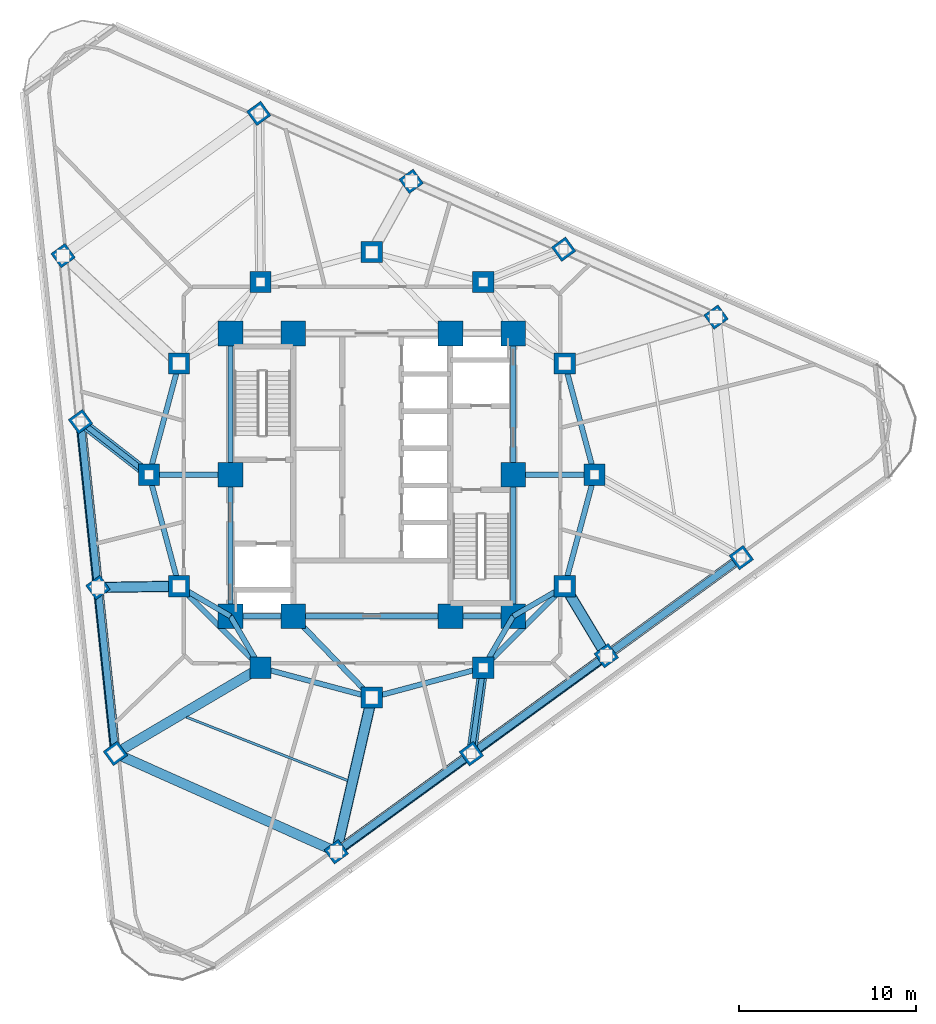
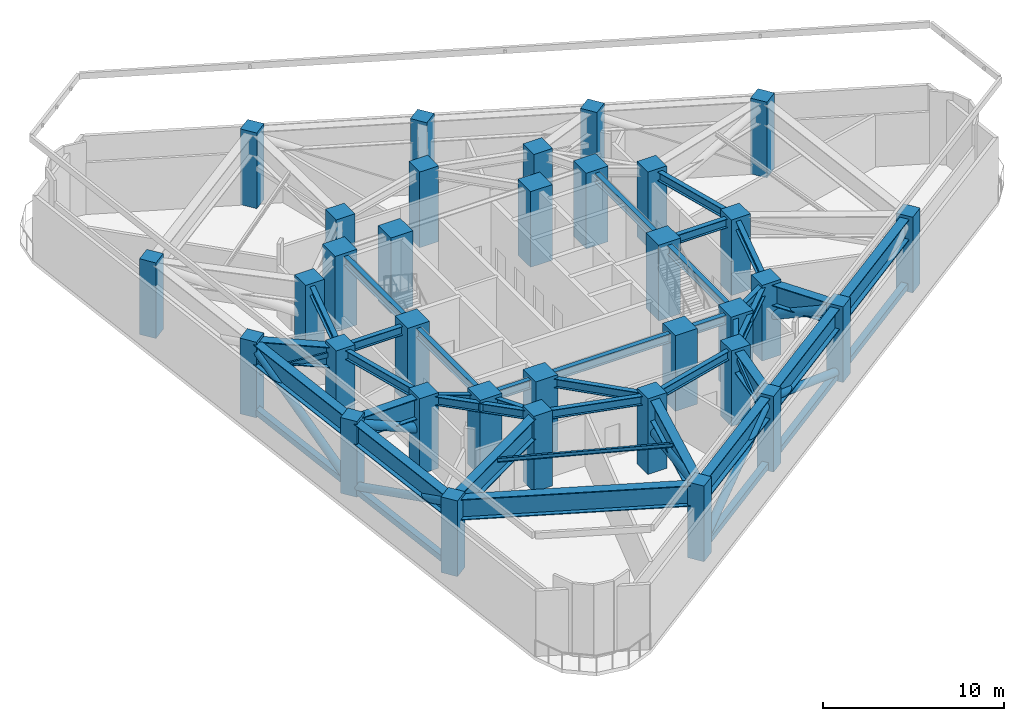
# One storey, part 1 of 10: 35 beams, 34 columns, 14 members.
"""IFC4 building model written with IfcOpenShell, lengths in metres."""

from ifc_helpers import new_model, si_unit, direction, frame, origin, origin_2d, place, context, subcontext, project, spatial, rectangle, hollow_rectangle, hollow_circle, i_section, extrude, material, material_profile, profile_set, type_object, element, save


model = new_model("IFC4")

# Units and contexts
model_context = context("Model", 3, precision=1e-05, world=origin(), true_north=direction((0.0, 1.0)))
body_context = subcontext(model_context, "Body", "Model", "MODEL_VIEW")
ifc_project = project(units=[si_unit("LENGTHUNIT", "METRE"), si_unit("AREAUNIT", "SQUARE_METRE"), si_unit("VOLUMEUNIT", "CUBIC_METRE"), si_unit("PLANEANGLEUNIT", "RADIAN"), si_unit("MASSUNIT", "GRAM", prefix="KILO")], contexts=[model_context])

# Site, building, storey
site_placement = place(None, origin())
site = spatial("IfcSite", under=ifc_project, at=site_placement, CompositionType="ELEMENT")
building_placement = place(site_placement, origin())
building = spatial("IfcBuilding", under=site, at=building_placement, Name="Terralouvre Media Tower", CompositionType="ELEMENT")
storey_placement = place(building_placement, frame((0.0, 0.0, 149.5)))
storey = spatial("IfcBuildingStorey", under=building, at=storey_placement, Name="L38", CompositionType="ELEMENT", Elevation=149.5)

# Columns
ifc_material_1 = material(Name="Concrete C50/60", Category="concrete")
ifc_material_profile_1 = material_profile(ifc_material_1, rectangle(XDim=1.0, YDim=1.0, at=origin_2d()), Name="RC 1000x1000")
ifc_profile_set_1 = profile_set([ifc_material_profile_1], Name="Concrete C50/60")
column_type_1 = type_object("IfcColumnType", Name="Structural Column C-RC1000 (RC 1000x1000)", PredefinedType="COLUMN", material=ifc_profile_set_1)
for number, where, z_axis, x_axis, name in (
    (1, (-2.0068359375, -21.328369140625, 0.0), (0.0, 0.0, 1.0), (0.809016994375, 0.587785252292, 0.0), "L38 Perimeter Mega-Column PC11"),
    (2, (5.63037109375, -15.77978515625, 0.0), (0.0, 0.0, 1.0), (0.809016994375, 0.587785252292, 0.0), "L38 Perimeter Mega-Column PC12"),
    (3, (13.267578125, -10.23095703125, 0.0), (0.0, 0.0, 1.0), (0.809016994375, 0.587785252292, 0.0), "L38 Perimeter Mega-Column PC13"),
    (4, (20.904541015625, -4.682373046875, 0.0), (0.0, 0.0, 1.0), (0.809016994375, 0.587785252292, 0.0), "L38 Perimeter Mega-Column PC14"),
    (5, (19.474365234375, 8.92626953125, 0.0), (0.0, 0.0, 1.0), (0.809016994375, 0.587785252292, 0.0), "L38 Perimeter Mega-Column PC21"),
    (6, (10.850341796875, 12.765869140625, 0.0), (0.0, 0.0, 1.0), (0.809016994375, 0.587785252292, 0.0), "L38 Perimeter Mega-Column PC22"),
    (7, (2.2265625, 16.60546875, 0.0), (0.0, 0.0, 1.0), (0.809016994375, 0.587785252292, 0.0), "L38 Perimeter Mega-Column PC23"),
    (8, (-6.397216796875, 20.445068359375, 0.0), (0.0, 0.0, 1.0), (0.809016994375, 0.587785252292, 0.0), "L38 Perimeter Mega-Column PC24"),
    (9, (-17.467529296875, 12.402099609375, 0.0), (0.0, 0.0, 1.0), (0.809016994375, 0.587785252292, 0.0), "L38 Perimeter Mega-Column PC31"),
    (10, (-16.480712890625, 3.013916015625, 0.0), (0.0, 0.0, 1.0), (0.809016994375, 0.587785252292, 0.0), "L38 Perimeter Mega-Column PC32"),
    (11, (-15.494140625, -6.37451171875, 0.0), (0.0, 0.0, 1.0), (0.809016994375, 0.587785252292, 0.0), "L38 Perimeter Mega-Column PC33"),
    (12, (-14.50732421875, -15.7626953125, 0.0), (0.0, 0.0, 1.0), (0.809016994375, 0.587785252292, 0.0), "L38 Perimeter Mega-Column PC34"),
):
    element("IfcColumn", number, at=place(storey_placement, frame(where, z_axis=z_axis, x_axis=x_axis)), inside=storey, type_object=column_type_1, Name=name, PredefinedType="COLUMN", context=body_context, shape_type="SweptSolid", body=[
        extrude(rectangle(XDim=1.0, YDim=1.0, at=origin_2d()), origin(), (0.0, 0.0, 1.0), 5.10009765625),
    ])
ifc_material_2 = material(Name="Concrete C60/75", Category="concrete")
ifc_material_profile_2 = material_profile(ifc_material_2, rectangle(XDim=1.199951171875, YDim=1.199951171875, at=origin_2d()), Name="RC 1200x1200")
ifc_profile_set_2 = profile_set([ifc_material_profile_2], Name="Concrete C60/75")
column_type_2 = type_object("IfcColumnType", Name="Structural Column C-RC1200 (RC 1200x1200)", PredefinedType="COLUMN", material=ifc_profile_set_2)
for number, where, z_axis, x_axis, name in (
    (13, (12.60009765625, 0.0, 0.0), (0.0, 0.0, 1.0), (1.0, 0.0, 0.0), "L38 Mega-Frame Column MC01"),
    (14, (10.911865234375, 6.300048828125, 0.0), (0.0, 0.0, 1.0), (1.0, 0.0, 0.0), "L38 Mega-Frame Column MC02"),
    (15, (6.300048828125, 10.911865234375, 0.0), (0.0, 0.0, 1.0), (1.0, 0.0, 0.0), "L38 Mega-Frame Column MC03"),
    (16, (0.0, 12.60009765625, 0.0), (0.0, 0.0, 1.0), (1.0, 0.0, 0.0), "L38 Mega-Frame Column MC04"),
    (17, (-6.300048828125, 10.911865234375, 0.0), (0.0, 0.0, 1.0), (1.0, 0.0, 0.0), "L38 Mega-Frame Column MC05"),
    (18, (-10.911865234375, 6.300048828125, 0.0), (0.0, 0.0, 1.0), (1.0, 0.0, 0.0), "L38 Mega-Frame Column MC06"),
    (19, (-12.60009765625, 0.0, 0.0), (0.0, 0.0, 1.0), (1.0, 0.0, 0.0), "L38 Mega-Frame Column MC07"),
    (20, (-10.911865234375, -6.300048828125, 0.0), (0.0, 0.0, 1.0), (1.0, 0.0, 0.0), "L38 Mega-Frame Column MC08"),
    (21, (-6.300048828125, -10.911865234375, 0.0), (0.0, 0.0, 1.0), (1.0, 0.0, 0.0), "L38 Mega-Frame Column MC09"),
    (22, (0.0, -12.60009765625, 0.0), (0.0, 0.0, 1.0), (1.0, 0.0, 0.0), "L38 Mega-Frame Column MC10"),
    (23, (6.300048828125, -10.911865234375, 0.0), (0.0, 0.0, 1.0), (1.0, 0.0, 0.0), "L38 Mega-Frame Column MC11"),
    (24, (10.911865234375, -6.300048828125, 0.0), (0.0, 0.0, 1.0), (1.0, 0.0, 0.0), "L38 Mega-Frame Column MC12"),
):
    element("IfcColumn", number, at=place(storey_placement, frame(where, z_axis=z_axis, x_axis=x_axis)), inside=storey, type_object=column_type_2, Name=name, PredefinedType="COLUMN", context=body_context, shape_type="SweptSolid", body=[
        extrude(rectangle(XDim=1.199951171875, YDim=1.199951171875, at=origin_2d()), origin(), (0.0, 0.0, 1.0), 5.10009765625),
    ])
ifc_material_3 = material(Name="Concrete C60/75", Category="concrete")
ifc_material_profile_3 = material_profile(ifc_material_3, rectangle(XDim=1.39990234375, YDim=1.39990234375, at=origin_2d()), Name="RC 1400x1400")
ifc_profile_set_3 = profile_set([ifc_material_profile_3], Name="Concrete C60/75")
column_type_3 = type_object("IfcColumnType", Name="Structural Column C-RC1400 (RC 1400x1400)", PredefinedType="COLUMN", material=ifc_profile_set_3)
for number, where, z_axis, x_axis, name in (
    (25, (-8.0, -8.0, 0.0), (0.0, 0.0, 1.0), (1.0, 0.0, 0.0), "L38 Core Pilaster Column CP1"),
    (26, (-4.449951171875, -8.0, 0.0), (0.0, 0.0, 1.0), (1.0, 0.0, 0.0), "L38 Core Pilaster Column CP2"),
    (27, (4.449951171875, -8.0, 0.0), (0.0, 0.0, 1.0), (1.0, 0.0, 0.0), "L38 Core Pilaster Column CP10"),
    (28, (8.0, -8.0, 0.0), (0.0, 0.0, 1.0), (1.0, 0.0, 0.0), "L38 Core Pilaster Column CP3"),
    (29, (8.0, 0.0, 0.0), (0.0, 0.0, 1.0), (1.0, 0.0, 0.0), "L38 Core Pilaster Column CP4"),
    (30, (8.0, 8.0, 0.0), (0.0, 0.0, 1.0), (1.0, 0.0, 0.0), "L38 Core Pilaster Column CP5"),
    (31, (4.449951171875, 8.0, 0.0), (0.0, 0.0, 1.0), (1.0, 0.0, 0.0), "L38 Core Pilaster Column CP9"),
    (32, (-4.449951171875, 8.0, 0.0), (0.0, 0.0, 1.0), (1.0, 0.0, 0.0), "L38 Core Pilaster Column CP6"),
    (33, (-8.0, 8.0, 0.0), (0.0, 0.0, 1.0), (1.0, 0.0, 0.0), "L38 Core Pilaster Column CP7"),
    (34, (-8.0, 0.0, 0.0), (0.0, 0.0, 1.0), (1.0, 0.0, 0.0), "L38 Core Pilaster Column CP8"),
):
    element("IfcColumn", number, at=place(storey_placement, frame(where, z_axis=z_axis, x_axis=x_axis)), inside=storey, type_object=column_type_3, Name=name, PredefinedType="COLUMN", context=body_context, shape_type="SweptSolid", body=[
        extrude(rectangle(XDim=1.39990234375, YDim=1.39990234375, at=origin_2d()), origin(), (0.0, 0.0, 1.0), 5.10009765625),
    ])

# Members
ifc_material_4 = material(Name="Structural steel S460M", Category="steel")
ifc_material_profile_4 = material_profile(ifc_material_4, hollow_circle(Radius=0.25390625, WallThickness=0.02490234375, at=origin_2d()), Name="CHS 508x25")
ifc_profile_set_4 = profile_set([ifc_material_profile_4], Name="Structural steel S460M")
member_type_1 = type_object("IfcMemberType", Name="Belt and Outrigger Brace BR-CHS508 (CHS 508x25)", PredefinedType="BRACE", material=ifc_profile_set_4)
member_1_placement = place(storey_placement, frame((-2.0068359375, -21.328369140625, 0.35009765625), z_axis=(0.739169261585, 0.537021284062, 0.406493472509), x_axis=(-0.587773346352, 0.809025644413, 0.0)))
element("IfcMember", 35, at=member_1_placement, inside=storey, type_object=member_type_1, Name="L38 Belt-Truss Diagonal Brace BT01", PredefinedType="BRACE", context=body_context, shape_type="SweptSolid", body=[
    extrude(hollow_circle(Radius=0.25390625, WallThickness=0.02490234375, at=origin_2d()), origin(), (0.0, 0.0, 1.0), 10.33203125),
])
for number, where, z_axis, x_axis, name in (
    (36, (5.63037109375, -15.77978515625, 4.550048828125), (0.739159881947, 0.537038098487, -0.406488314338), (-0.587790273448, 0.809013346268, 0.0), "L38 Belt-Truss Diagonal Brace BT02"),
    (37, (-16.480712890625, 3.013916015625, 4.550048828125), (0.095484701185, -0.908652359335, -0.406489313162), (0.994524001255, 0.104508425148, 0.0), "L38 Belt-Truss Diagonal Brace BT08"),
):
    element("IfcMember", number, at=place(storey_placement, frame(where, z_axis=z_axis, x_axis=x_axis)), inside=storey, type_object=member_type_1, Name=name, PredefinedType="BRACE", context=body_context, shape_type="SweptSolid", body=[
        extrude(hollow_circle(Radius=0.25390625, WallThickness=0.02490234375, at=origin_2d()), origin(), (0.0, 0.0, 1.0), 10.332275390625),
    ])
member_2_placement = place(storey_placement, frame((-15.494140625, -6.37451171875, 0.35009765625), z_axis=(0.095510165291, -0.908646189036, 0.406497123576), x_axis=(0.994521030321, 0.10453669331, 0.0)))
element("IfcMember", 38, at=member_2_placement, inside=storey, type_object=member_type_1, Name="L38 Belt-Truss Diagonal Brace BT09", PredefinedType="BRACE", context=body_context, shape_type="SweptSolid", body=[
    extrude(hollow_circle(Radius=0.25390625, WallThickness=0.02490234375, at=origin_2d()), origin(), (0.0, 0.0, 1.0), 10.33203125),
])
ifc_material_5 = material(Name="Structural steel S460M", Category="steel")
ifc_material_profile_5 = material_profile(ifc_material_5, hollow_circle(Radius=0.304931640625, WallThickness=0.030029296875, at=origin_2d()), Name="CHS 610x30")
ifc_profile_set_5 = profile_set([ifc_material_profile_5], Name="Structural steel S460M")
member_type_2 = type_object("IfcMemberType", Name="Belt and Outrigger Brace BR-CHS610 (CHS 610x30)", PredefinedType="BRACE", material=ifc_profile_set_5)
member_3_placement = place(storey_placement, frame((0.0, -12.60009765625, 2.550048828125), z_axis=(-0.218690412117, -0.95114366467, 0.217945481273), x_axis=(0.974571440619, -0.224077011605, 0.0)))
element("IfcMember", 39, at=member_3_placement, inside=storey, type_object=member_type_2, Name="L38 Outrigger Diagonal Brace OR01", PredefinedType="BRACE", context=body_context, shape_type="SweptSolid", body=[
    extrude(hollow_circle(Radius=0.304931640625, WallThickness=0.030029296875, at=origin_2d()), origin(), (0.0, 0.0, 1.0), 9.176513671875),
])
for number, where, z_axis, x_axis, name in (
    (40, (10.911865234375, -6.300048828125, 2.550048828125), (0.47112917446, -0.786159274327, 0.39998862029), (0.857765443091, 0.514041286901, 0.0), "L38 Outrigger Diagonal Brace OR02"),
    (41, (-10.911865234375, -6.300048828125, 2.550048828125), (-0.916403898807, -0.014891746451, 0.39997766205), (0.016248054635, -0.999867991647, 0.0), "L38 Outrigger Diagonal Brace OR06"),
):
    element("IfcMember", number, at=place(storey_placement, frame(where, z_axis=z_axis, x_axis=x_axis)), inside=storey, type_object=member_type_2, Name=name, PredefinedType="BRACE", context=body_context, shape_type="SweptSolid", body=[
        extrude(hollow_circle(Radius=0.304931640625, WallThickness=0.030029296875, at=origin_2d()), origin(), (0.0, 0.0, 1.0), 5.000244140625),
    ])

# Beam
ifc_material_6 = material(Name="Structural steel S355J2", Category="steel")
ifc_material_profile_6 = material_profile(ifc_material_6, i_section(OverallWidth=0.135009765625, OverallDepth=0.27001953125, WebThickness=0.006591796875, FlangeThickness=0.01025390625, at=origin_2d()), Name="IPE 270")
ifc_profile_set_6 = profile_set([ifc_material_profile_6], Name="Structural steel S355J2")
beam_type_1 = type_object("IfcBeamType", Name="Composite Floor Joist J-IPE270 (IPE 270)", PredefinedType="JOIST", material=ifc_profile_set_6)
beam_1_placement = place(storey_placement, frame((-10.485595703125, -13.709228515625, 4.764892578125), z_axis=(0.930564560392, -0.36612784508, 0.0), x_axis=(0.36612784508, 0.930564560392, 0.0)))
element("IfcBeam", 42, at=beam_1_placement, inside=storey, type_object=beam_type_1, Name="L38 Framing Beam JT-L38-01", PredefinedType="JOIST", context=body_context, shape_type="SweptSolid", body=[
    extrude(i_section(OverallWidth=0.135009765625, OverallDepth=0.27001953125, WebThickness=0.006591796875, FlangeThickness=0.01025390625, at=origin_2d()), origin(), (0.0, 0.0, 1.0), 9.80078125),
])

# Members
ifc_material_7 = material(Name="Structural steel S355J2", Category="steel")
ifc_material_profile_7 = material_profile(ifc_material_7, hollow_rectangle(XDim=0.300048828125, YDim=0.300048828125, WallThickness=0.01611328125, at=origin_2d()), Name="SHS 300x300x16")
ifc_profile_set_7 = profile_set([ifc_material_profile_7], Name="Structural steel S355J2")
member_type_3 = type_object("IfcMemberType", Name="Portal Knee-Brace Strut ST-SHS300 (SHS 300x300x16)", PredefinedType="STRUT", material=ifc_profile_set_7)
member_4_placement = place(storey_placement, frame((6.300048828125, -10.911865234375, 4.550048828125), z_axis=(-0.126230517926, -0.917575755352, -0.376988845371), x_axis=(0.990669534452, -0.136285998947, 0.0)))
element("IfcMember", 43, at=member_4_placement, inside=storey, type_object=member_type_3, Name="L38 Refuge Outrigger Knee-Brace Strut 06", PredefinedType="STRUT", context=body_context, shape_type="SweptSolid", body=[
    extrude(hollow_rectangle(XDim=0.300048828125, YDim=0.300048828125, WallThickness=0.01611328125, at=origin_2d()), origin(), (0.0, 0.0, 1.0), 5.30517578125),
])
member_5_placement = place(storey_placement, frame((-12.60009765625, 0.0, 4.550048828125), z_axis=(-0.731503545825, 0.568129051476, -0.37700390358), x_axis=(-0.613390081549, -0.78978010095, 0.0)))
element("IfcMember", 44, at=member_5_placement, inside=storey, type_object=member_type_3, Name="L38 Refuge Outrigger Knee-Brace Strut 10", PredefinedType="STRUT", context=body_context, shape_type="SweptSolid", body=[
    extrude(hollow_rectangle(XDim=0.300048828125, YDim=0.300048828125, WallThickness=0.01611328125, at=origin_2d()), origin(), (0.0, 0.0, 1.0), 5.304931640625),
])

# Beams
ifc_material_8 = material(Name="Structural steel S460M", Category="steel")
ifc_material_profile_8 = material_profile(ifc_material_8, i_section(OverallWidth=0.300048828125, OverallDepth=0.60009765625, WebThickness=0.015380859375, FlangeThickness=0.030029296875, at=origin_2d()), Name="HEB 600")
ifc_profile_set_8 = profile_set([ifc_material_profile_8], Name="Structural steel S460M")
beam_type_2 = type_object("IfcBeamType", Name="Primary Floor Girder B-HEB600 (HEB 600)", PredefinedType="BEAM", material=ifc_profile_set_8)
beam_2_placement = place(storey_placement, frame((-8.0, -8.0, 4.60009765625), z_axis=(1.0, 0.0, 0.0), x_axis=(0.0, 1.0, 0.0)))
element("IfcBeam", 45, at=beam_2_placement, inside=storey, type_object=beam_type_2, Name="L38 Framing Beam BM-L38-CPR01", PredefinedType="BEAM", context=body_context, shape_type="SweptSolid", body=[
    extrude(i_section(OverallWidth=0.300048828125, OverallDepth=0.60009765625, WebThickness=0.015380859375, FlangeThickness=0.030029296875, at=origin_2d()), origin(), (0.0, 0.0, 1.0), 3.550048828125),
])
beam_3_placement = place(storey_placement, frame((-4.449951171875, -8.0, 4.60009765625), z_axis=(1.0, 0.0, 0.0), x_axis=(0.0, 1.0, 0.0)))
element("IfcBeam", 46, at=beam_3_placement, inside=storey, type_object=beam_type_2, Name="L38 Framing Beam BM-L38-CPR02", PredefinedType="BEAM", context=body_context, shape_type="SweptSolid", body=[
    extrude(i_section(OverallWidth=0.300048828125, OverallDepth=0.60009765625, WebThickness=0.015380859375, FlangeThickness=0.030029296875, at=origin_2d()), origin(), (0.0, 0.0, 1.0), 8.89990234375),
])
beam_4_placement = place(storey_placement, frame((4.449951171875, -8.0, 4.60009765625), z_axis=(1.0, 0.0, 0.0), x_axis=(0.0, 1.0, 0.0)))
element("IfcBeam", 47, at=beam_4_placement, inside=storey, type_object=beam_type_2, Name="L38 Framing Beam BM-L38-CPR03", PredefinedType="BEAM", context=body_context, shape_type="SweptSolid", body=[
    extrude(i_section(OverallWidth=0.300048828125, OverallDepth=0.60009765625, WebThickness=0.015380859375, FlangeThickness=0.030029296875, at=origin_2d()), origin(), (0.0, 0.0, 1.0), 3.550048828125),
])
for number, where, z_axis, x_axis, name in (
    (48, (8.0, -8.0, 4.60009765625), (0.0, 1.0, 0.0), (-1.0, 0.0, 0.0), "L38 Framing Beam BM-L38-CPR04"),
    (49, (8.0, 0.0, 4.60009765625), (0.0, 1.0, 0.0), (-1.0, 0.0, 0.0), "L38 Framing Beam BM-L38-CPR05"),
    (50, (-8.0, 8.0, 4.60009765625), (0.0, -1.0, 0.0), (1.0, 0.0, 0.0), "L38 Framing Beam BM-L38-CPR09"),
    (51, (-8.0, 0.0, 4.60009765625), (0.0, -1.0, 0.0), (1.0, 0.0, 0.0), "L38 Framing Beam BM-L38-CPR10"),
):
    element("IfcBeam", number, at=place(storey_placement, frame(where, z_axis=z_axis, x_axis=x_axis)), inside=storey, type_object=beam_type_2, Name=name, PredefinedType="BEAM", context=body_context, shape_type="SweptSolid", body=[
        extrude(i_section(OverallWidth=0.300048828125, OverallDepth=0.60009765625, WebThickness=0.015380859375, FlangeThickness=0.030029296875, at=origin_2d()), origin(), (0.0, 0.0, 1.0), 8.0),
    ])
beam_5_placement = place(storey_placement, frame((-10.911865234375, -6.300048828125, 4.60009765625), z_axis=(0.707106781187, -0.707106781187, 0.0), x_axis=(0.707106781187, 0.707106781187, 0.0)))
element("IfcBeam", 52, at=beam_5_placement, inside=storey, type_object=beam_type_2, Name="L38 Framing Beam BM-L38-MR01", PredefinedType="BEAM", context=body_context, shape_type="SweptSolid", body=[
    extrude(i_section(OverallWidth=0.300048828125, OverallDepth=0.60009765625, WebThickness=0.015380859375, FlangeThickness=0.030029296875, at=origin_2d()), origin(), (0.0, 0.0, 1.0), 6.52197265625),
])
for number, where, z_axis, x_axis, name in (
    (53, (-6.300048828125, -10.911865234375, 4.60009765625), (0.965920481897, -0.258838989821, 0.0), (0.258838989821, 0.965920481897, 0.0), "L38 Framing Beam BM-L38-MR02"),
    (54, (0.0, -12.60009765625, 4.60009765625), (0.965920481897, 0.258838989821, 0.0), (-0.258838989821, 0.965920481897, 0.0), "L38 Framing Beam BM-L38-MR03"),
):
    element("IfcBeam", number, at=place(storey_placement, frame(where, z_axis=z_axis, x_axis=x_axis)), inside=storey, type_object=beam_type_2, Name=name, PredefinedType="BEAM", context=body_context, shape_type="SweptSolid", body=[
        extrude(i_section(OverallWidth=0.300048828125, OverallDepth=0.60009765625, WebThickness=0.015380859375, FlangeThickness=0.030029296875, at=origin_2d()), origin(), (0.0, 0.0, 1.0), 6.522216796875),
    ])
beam_6_placement = place(storey_placement, frame((6.300048828125, -10.911865234375, 4.60009765625), z_axis=(0.707106781187, 0.707106781187, 0.0), x_axis=(-0.707106781187, 0.707106781187, 0.0)))
element("IfcBeam", 55, at=beam_6_placement, inside=storey, type_object=beam_type_2, Name="L38 Framing Beam BM-L38-MR04", PredefinedType="BEAM", context=body_context, shape_type="SweptSolid", body=[
    extrude(i_section(OverallWidth=0.300048828125, OverallDepth=0.60009765625, WebThickness=0.015380859375, FlangeThickness=0.030029296875, at=origin_2d()), origin(), (0.0, 0.0, 1.0), 6.52197265625),
])
for number, where, z_axis, x_axis, name in (
    (56, (10.911865234375, -6.300048828125, 4.60009765625), (0.258838989821, 0.965920481897, 0.0), (-0.965920481897, 0.258838989821, 0.0), "L38 Framing Beam BM-L38-MR05"),
    (57, (12.60009765625, 0.0, 4.60009765625), (-0.258838989821, 0.965920481897, 0.0), (-0.965920481897, -0.258838989821, 0.0), "L38 Framing Beam BM-L38-MR06"),
    (58, (-10.911865234375, 6.300048828125, 4.60009765625), (-0.258838989821, -0.965920481897, 0.0), (0.965920481897, -0.258838989821, 0.0), "L38 Framing Beam BM-L38-MR11"),
    (59, (-12.60009765625, 0.0, 4.60009765625), (0.258838989821, -0.965920481897, 0.0), (0.965920481897, 0.258838989821, 0.0), "L38 Framing Beam BM-L38-MR12"),
):
    element("IfcBeam", number, at=place(storey_placement, frame(where, z_axis=z_axis, x_axis=x_axis)), inside=storey, type_object=beam_type_2, Name=name, PredefinedType="BEAM", context=body_context, shape_type="SweptSolid", body=[
        extrude(i_section(OverallWidth=0.300048828125, OverallDepth=0.60009765625, WebThickness=0.015380859375, FlangeThickness=0.030029296875, at=origin_2d()), origin(), (0.0, 0.0, 1.0), 6.522216796875),
    ])
for number, where, z_axis, x_axis, name in (
    (60, (-8.0, -8.0, 4.60009765625), (-0.863602894532, 0.504172629717, 0.0), (-0.504172629717, -0.863602894532, 0.0), "L38 Framing Beam BM-L38-CM01"),
    (61, (-8.0, -8.0, 4.60009765625), (0.504172629717, -0.863602894532, 0.0), (0.863602894532, 0.504172629717, 0.0), "L38 Framing Beam BM-L38-CM02"),
):
    element("IfcBeam", number, at=place(storey_placement, frame(where, z_axis=z_axis, x_axis=x_axis)), inside=storey, type_object=beam_type_2, Name=name, PredefinedType="BEAM", context=body_context, shape_type="SweptSolid", body=[
        extrude(i_section(OverallWidth=0.300048828125, OverallDepth=0.60009765625, WebThickness=0.015380859375, FlangeThickness=0.030029296875, at=origin_2d()), origin(), (0.0, 0.0, 1.0), 3.371826171875),
    ])
beam_7_placement = place(storey_placement, frame((-4.449951171875, -8.0, 4.60009765625), z_axis=(0.695279715726, -0.718739255155, 0.0), x_axis=(0.718739255155, 0.695279715726, 0.0)))
element("IfcBeam", 62, at=beam_7_placement, inside=storey, type_object=beam_type_2, Name="L38 Framing Beam BM-L38-CM03", PredefinedType="BEAM", context=body_context, shape_type="SweptSolid", body=[
    extrude(i_section(OverallWidth=0.300048828125, OverallDepth=0.60009765625, WebThickness=0.015380859375, FlangeThickness=0.030029296875, at=origin_2d()), origin(), (0.0, 0.0, 1.0), 6.400146484375),
])
for number, where, z_axis, x_axis, name in (
    (63, (8.0, -8.0, 4.60009765625), (-0.504172629717, -0.863602894532, 0.0), (0.863602894532, -0.504172629717, 0.0), "L38 Framing Beam BM-L38-CM04"),
    (64, (8.0, -8.0, 4.60009765625), (0.863602894532, 0.504172629717, 0.0), (-0.504172629717, 0.863602894532, 0.0), "L38 Framing Beam BM-L38-CM05"),
):
    element("IfcBeam", number, at=place(storey_placement, frame(where, z_axis=z_axis, x_axis=x_axis)), inside=storey, type_object=beam_type_2, Name=name, PredefinedType="BEAM", context=body_context, shape_type="SweptSolid", body=[
        extrude(i_section(OverallWidth=0.300048828125, OverallDepth=0.60009765625, WebThickness=0.015380859375, FlangeThickness=0.030029296875, at=origin_2d()), origin(), (0.0, 0.0, 1.0), 3.371826171875),
    ])
for number, where, z_axis, x_axis, name in (
    (65, (8.0, 0.0, 4.60009765625), (1.0, 0.0, 0.0), (0.0, 1.0, 0.0), "L38 Framing Beam BM-L38-CM06"),
    (66, (-8.0, 0.0, 4.60009765625), (-1.0, 0.0, 0.0), (0.0, -1.0, 0.0), "L38 Framing Beam BM-L38-CM12"),
):
    element("IfcBeam", number, at=place(storey_placement, frame(where, z_axis=z_axis, x_axis=x_axis)), inside=storey, type_object=beam_type_2, Name=name, PredefinedType="BEAM", context=body_context, shape_type="SweptSolid", body=[
        extrude(i_section(OverallWidth=0.300048828125, OverallDepth=0.60009765625, WebThickness=0.015380859375, FlangeThickness=0.030029296875, at=origin_2d()), origin(), (0.0, 0.0, 1.0), 4.60009765625),
    ])

# Members
ifc_material_9 = material(Name="Structural steel S460M", Category="steel")
ifc_material_profile_9 = material_profile(ifc_material_9, hollow_rectangle(XDim=0.39990234375, YDim=0.39990234375, WallThickness=0.02001953125, at=origin_2d()), Name="SHS 400x400x20")
ifc_profile_set_9 = profile_set([ifc_material_profile_9], Name="Structural steel S460M")
member_type_4 = type_object("IfcMemberType", Name="Truss Chord Member CH-SHS400 (SHS 400x400x20)", PredefinedType="CHORD", material=ifc_profile_set_9)
member_6_placement = place(storey_placement, frame((-2.0068359375, -21.328369140625, 0.35009765625), z_axis=(0.809025644413, 0.587773346352, 0.0), x_axis=(-0.587773346352, 0.809025644413, 0.0)))
element("IfcMember", 67, at=member_6_placement, inside=storey, type_object=member_type_4, Name="L38 Belt-Truss Bottom Chord 01", PredefinedType="CHORD", context=body_context, shape_type="SweptSolid", body=[
    extrude(hollow_rectangle(XDim=0.39990234375, YDim=0.39990234375, WallThickness=0.02001953125, at=origin_2d()), origin(), (0.0, 0.0, 1.0), 9.43994140625),
])
member_7_placement = place(storey_placement, frame((5.63037109375, -15.77978515625, 0.35009765625), z_axis=(0.809013346268, 0.587790273448, 0.0), x_axis=(-0.587790273448, 0.809013346268, 0.0)))
element("IfcMember", 68, at=member_7_placement, inside=storey, type_object=member_type_4, Name="L38 Belt-Truss Bottom Chord 02", PredefinedType="CHORD", context=body_context, shape_type="SweptSolid", body=[
    extrude(hollow_rectangle(XDim=0.39990234375, YDim=0.39990234375, WallThickness=0.02001953125, at=origin_2d()), origin(), (0.0, 0.0, 1.0), 9.440185546875),
])
member_8_placement = place(storey_placement, frame((13.267578125, -10.23095703125, 0.35009765625), z_axis=(0.809016709277, 0.587785644696, 0.0), x_axis=(-0.587785644696, 0.809016709277, 0.0)))
element("IfcMember", 69, at=member_8_placement, inside=storey, type_object=member_type_4, Name="L38 Belt-Truss Bottom Chord 03", PredefinedType="CHORD", context=body_context, shape_type="SweptSolid", body=[
    extrude(hollow_rectangle(XDim=0.39990234375, YDim=0.39990234375, WallThickness=0.02001953125, at=origin_2d()), origin(), (0.0, 0.0, 1.0), 9.439697265625),
])
member_9_placement = place(storey_placement, frame((-16.480712890625, 3.013916015625, 0.35009765625), z_axis=(0.104508425148, -0.994524001255, 0.0), x_axis=(0.994524001255, 0.104508425148, 0.0)))
element("IfcMember", 70, at=member_9_placement, inside=storey, type_object=member_type_4, Name="L38 Belt-Truss Bottom Chord 08", PredefinedType="CHORD", context=body_context, shape_type="SweptSolid", body=[
    extrude(hollow_rectangle(XDim=0.39990234375, YDim=0.39990234375, WallThickness=0.02001953125, at=origin_2d()), origin(), (0.0, 0.0, 1.0), 9.440185546875),
])
member_10_placement = place(storey_placement, frame((-15.494140625, -6.37451171875, 0.35009765625), z_axis=(0.10453669331, -0.994521030321, 0.0), x_axis=(0.994521030321, 0.10453669331, 0.0)))
element("IfcMember", 71, at=member_10_placement, inside=storey, type_object=member_type_4, Name="L38 Belt-Truss Bottom Chord 09", PredefinedType="CHORD", context=body_context, shape_type="SweptSolid", body=[
    extrude(hollow_rectangle(XDim=0.39990234375, YDim=0.39990234375, WallThickness=0.02001953125, at=origin_2d()), origin(), (0.0, 0.0, 1.0), 9.43994140625),
])

# Beams
ifc_material_10 = material(Name="Structural steel S460M", Category="steel")
ifc_material_profile_10 = material_profile(ifc_material_10, i_section(OverallWidth=0.56005859375, OverallDepth=1.39990234375, WebThickness=0.031982421875, FlangeThickness=0.050048828125, at=origin_2d()), Name="TG 1400x560")
ifc_profile_set_10 = profile_set([ifc_material_profile_10], Name="Structural steel S460M")
beam_type_3 = type_object("IfcBeamType", Name="Welded Transfer Girder TG-1400 (TG 1400x560)", PredefinedType="USERDEFINED", material=ifc_profile_set_10)
beam_8_placement = place(storey_placement, frame((-15.494140625, -6.37451171875, 4.199951171875), z_axis=(0.10453669331, -0.994521030321, 0.0), x_axis=(0.994521030321, 0.10453669331, 0.0)))
element("IfcBeam", 72, at=beam_8_placement, inside=storey, type_object=beam_type_3, Name="L38 Framing Beam BM-L38-PR01", ObjectType="TRANSFER GIRDER", PredefinedType="USERDEFINED", context=body_context, shape_type="SweptSolid", body=[
    extrude(i_section(OverallWidth=0.56005859375, OverallDepth=1.39990234375, WebThickness=0.031982421875, FlangeThickness=0.050048828125, at=origin_2d()), origin(), (0.0, 0.0, 1.0), 9.43994140625),
])
beam_9_placement = place(storey_placement, frame((-14.50732421875, -15.7626953125, 4.199951171875), z_axis=(0.913542800127, -0.4067426119, 0.0), x_axis=(0.4067426119, 0.913542800127, 0.0)))
element("IfcBeam", 73, at=beam_9_placement, inside=storey, type_object=beam_type_3, Name="L38 Framing Beam BM-L38-PR02", ObjectType="TRANSFER GIRDER", PredefinedType="USERDEFINED", context=body_context, shape_type="SweptSolid", body=[
    extrude(i_section(OverallWidth=0.56005859375, OverallDepth=1.39990234375, WebThickness=0.031982421875, FlangeThickness=0.050048828125, at=origin_2d()), origin(), (0.0, 0.0, 1.0), 13.68359375),
])
beam_10_placement = place(storey_placement, frame((-2.0068359375, -21.328369140625, 4.199951171875), z_axis=(0.809025644413, 0.587773346352, 0.0), x_axis=(-0.587773346352, 0.809025644413, 0.0)))
element("IfcBeam", 74, at=beam_10_placement, inside=storey, type_object=beam_type_3, Name="L38 Framing Beam BM-L38-PR03", ObjectType="TRANSFER GIRDER", PredefinedType="USERDEFINED", context=body_context, shape_type="SweptSolid", body=[
    extrude(i_section(OverallWidth=0.56005859375, OverallDepth=1.39990234375, WebThickness=0.031982421875, FlangeThickness=0.050048828125, at=origin_2d()), origin(), (0.0, 0.0, 1.0), 9.43994140625),
])
beam_11_placement = place(storey_placement, frame((5.63037109375, -15.77978515625, 4.199951171875), z_axis=(0.809013346268, 0.587790273448, 0.0), x_axis=(-0.587790273448, 0.809013346268, 0.0)))
element("IfcBeam", 75, at=beam_11_placement, inside=storey, type_object=beam_type_3, Name="L38 Framing Beam BM-L38-PR04", ObjectType="TRANSFER GIRDER", PredefinedType="USERDEFINED", context=body_context, shape_type="SweptSolid", body=[
    extrude(i_section(OverallWidth=0.56005859375, OverallDepth=1.39990234375, WebThickness=0.031982421875, FlangeThickness=0.050048828125, at=origin_2d()), origin(), (0.0, 0.0, 1.0), 9.440185546875),
])
beam_12_placement = place(storey_placement, frame((13.267578125, -10.23095703125, 4.199951171875), z_axis=(0.809016709277, 0.587785644696, 0.0), x_axis=(-0.587785644696, 0.809016709277, 0.0)))
element("IfcBeam", 76, at=beam_12_placement, inside=storey, type_object=beam_type_3, Name="L38 Framing Beam BM-L38-PR05", ObjectType="TRANSFER GIRDER", PredefinedType="USERDEFINED", context=body_context, shape_type="SweptSolid", body=[
    extrude(i_section(OverallWidth=0.56005859375, OverallDepth=1.39990234375, WebThickness=0.031982421875, FlangeThickness=0.050048828125, at=origin_2d()), origin(), (0.0, 0.0, 1.0), 9.439697265625),
])
beam_13_placement = place(storey_placement, frame((-16.480712890625, 3.013916015625, 4.199951171875), z_axis=(0.104508425148, -0.994524001255, 0.0), x_axis=(0.994524001255, 0.104508425148, 0.0)))
element("IfcBeam", 77, at=beam_13_placement, inside=storey, type_object=beam_type_3, Name="L38 Framing Beam BM-L38-PR12", ObjectType="TRANSFER GIRDER", PredefinedType="USERDEFINED", context=body_context, shape_type="SweptSolid", body=[
    extrude(i_section(OverallWidth=0.56005859375, OverallDepth=1.39990234375, WebThickness=0.031982421875, FlangeThickness=0.050048828125, at=origin_2d()), origin(), (0.0, 0.0, 1.0), 9.440185546875),
])
beam_14_placement = place(storey_placement, frame((-10.911865234375, -6.300048828125, 4.199951171875), z_axis=(-0.999867991647, -0.016248054635, 0.0), x_axis=(0.016248054635, -0.999867991647, 0.0)))
element("IfcBeam", 78, at=beam_14_placement, inside=storey, type_object=beam_type_3, Name="L38 Framing Beam BM-L38-RD01", ObjectType="TRANSFER GIRDER", PredefinedType="USERDEFINED", context=body_context, shape_type="SweptSolid", body=[
    extrude(i_section(OverallWidth=0.56005859375, OverallDepth=1.39990234375, WebThickness=0.031982421875, FlangeThickness=0.050048828125, at=origin_2d()), origin(), (0.0, 0.0, 1.0), 4.582763671875),
])
beam_15_placement = place(storey_placement, frame((-6.300048828125, -10.911865234375, 4.199951171875), z_axis=(-0.86087707212, -0.508812997768, 0.0), x_axis=(0.508812997768, -0.86087707212, 0.0)))
element("IfcBeam", 79, at=beam_15_placement, inside=storey, type_object=beam_type_3, Name="L38 Framing Beam BM-L38-RD02", ObjectType="TRANSFER GIRDER", PredefinedType="USERDEFINED", context=body_context, shape_type="SweptSolid", body=[
    extrude(i_section(OverallWidth=0.56005859375, OverallDepth=1.39990234375, WebThickness=0.031982421875, FlangeThickness=0.050048828125, at=origin_2d()), origin(), (0.0, 0.0, 1.0), 9.53369140625),
])
beam_16_placement = place(storey_placement, frame((0.0, -12.60009765625, 4.199951171875), z_axis=(-0.224077011605, -0.974571440619, 0.0), x_axis=(0.974571440619, -0.224077011605, 0.0)))
element("IfcBeam", 80, at=beam_16_placement, inside=storey, type_object=beam_type_3, Name="L38 Framing Beam BM-L38-RD03", ObjectType="TRANSFER GIRDER", PredefinedType="USERDEFINED", context=body_context, shape_type="SweptSolid", body=[
    extrude(i_section(OverallWidth=0.56005859375, OverallDepth=1.39990234375, WebThickness=0.031982421875, FlangeThickness=0.050048828125, at=origin_2d()), origin(), (0.0, 0.0, 1.0), 8.9560546875),
])
beam_17_placement = place(storey_placement, frame((6.300048828125, -10.911865234375, 4.199951171875), z_axis=(-0.136285998947, -0.990669534452, 0.0), x_axis=(0.990669534452, -0.136285998947, 0.0)))
element("IfcBeam", 81, at=beam_17_placement, inside=storey, type_object=beam_type_3, Name="L38 Framing Beam BM-L38-RD04", ObjectType="TRANSFER GIRDER", PredefinedType="USERDEFINED", context=body_context, shape_type="SweptSolid", body=[
    extrude(i_section(OverallWidth=0.56005859375, OverallDepth=1.39990234375, WebThickness=0.031982421875, FlangeThickness=0.050048828125, at=origin_2d()), origin(), (0.0, 0.0, 1.0), 4.913818359375),
])
beam_18_placement = place(storey_placement, frame((10.911865234375, -6.300048828125, 4.199951171875), z_axis=(0.514041286901, -0.857765443091, 0.0), x_axis=(0.857765443091, 0.514041286901, 0.0)))
element("IfcBeam", 82, at=beam_18_placement, inside=storey, type_object=beam_type_3, Name="L38 Framing Beam BM-L38-RD05", ObjectType="TRANSFER GIRDER", PredefinedType="USERDEFINED", context=body_context, shape_type="SweptSolid", body=[
    extrude(i_section(OverallWidth=0.56005859375, OverallDepth=1.39990234375, WebThickness=0.031982421875, FlangeThickness=0.050048828125, at=origin_2d()), origin(), (0.0, 0.0, 1.0), 4.582763671875),
])
beam_19_placement = place(storey_placement, frame((-12.60009765625, 0.0, 4.199951171875), z_axis=(-0.78978010095, 0.613390081549, 0.0), x_axis=(-0.613390081549, -0.78978010095, 0.0)))
element("IfcBeam", 83, at=beam_19_placement, inside=storey, type_object=beam_type_3, Name="L38 Framing Beam BM-L38-RD12", ObjectType="TRANSFER GIRDER", PredefinedType="USERDEFINED", context=body_context, shape_type="SweptSolid", body=[
    extrude(i_section(OverallWidth=0.56005859375, OverallDepth=1.39990234375, WebThickness=0.031982421875, FlangeThickness=0.050048828125, at=origin_2d()), origin(), (0.0, 0.0, 1.0), 4.91357421875),
])

save(model, "model.ifc")
